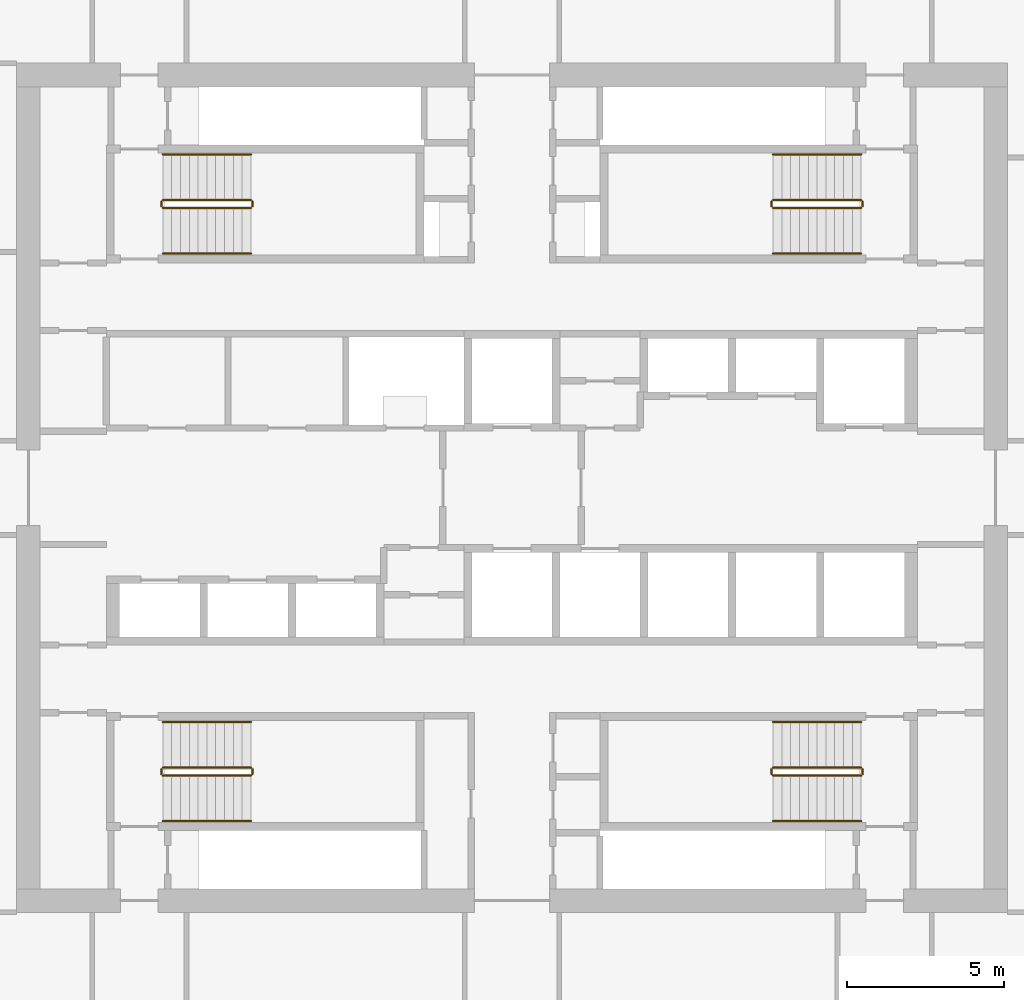
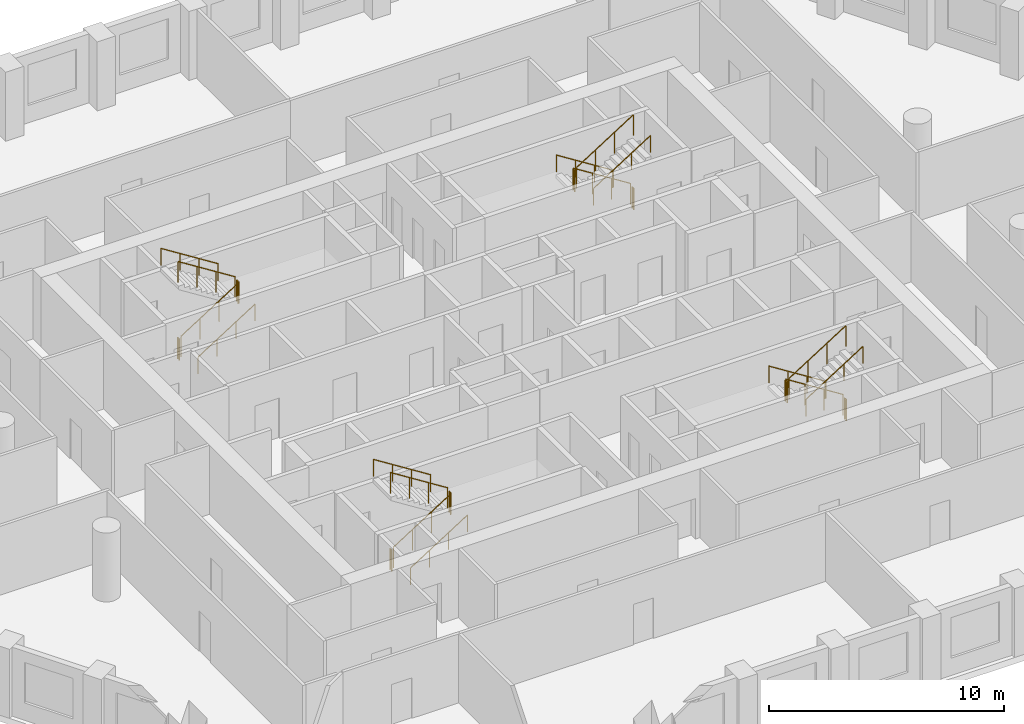
# One storey, part 10 of 10: 24 railings.
"""IFC4 building model written with IfcOpenShell, lengths in metres."""

from ifc_helpers import new_model, si_unit, direction, frame, origin, origin_2d, place, context, subcontext, project, spatial, circle, extrude, material, type_object, element, save


model = new_model("IFC4")

# Units and contexts
model_context = context("Model", 3, precision=1e-05, world=origin(), true_north=direction((0.0, 1.0)))
body_context = subcontext(model_context, "Body", "Model", "MODEL_VIEW")
ifc_project = project(units=[si_unit("LENGTHUNIT", "METRE"), si_unit("AREAUNIT", "SQUARE_METRE"), si_unit("VOLUMEUNIT", "CUBIC_METRE"), si_unit("PLANEANGLEUNIT", "RADIAN"), si_unit("MASSUNIT", "GRAM", prefix="KILO")], contexts=[model_context])

# Site, building, storey
site_placement = place(None, origin())
site = spatial("IfcSite", under=ifc_project, at=site_placement, CompositionType="ELEMENT")
building_placement = place(site_placement, origin())
building = spatial("IfcBuilding", under=site, at=building_placement, Name="Dhurran Vertical Campus", CompositionType="ELEMENT")
storey_placement = place(building_placement, frame((0.0, 0.0, 148.199951171875)))
storey = spatial("IfcBuildingStorey", under=building, at=storey_placement, Name="L36", CompositionType="ELEMENT", Elevation=148.199951171875)

# Railings
ifc_material_1 = material(Name="Stainless steel balustrade", Category="steel")
railing_type_1 = type_object("IfcRailingType", Name="co-RL-GUARD-1100", PredefinedType="GUARDRAIL", material=ifc_material_1)
railing_1_placement = place(storey_placement, frame((-11.10009765625, 8.89990234375, 0.17724609375)))
element("IfcRailing", 1, at=railing_1_placement, inside=storey, type_object=railing_type_1, Name="L36 ST1 stair guard 1", PredefinedType="GUARDRAIL", context=body_context, shape_type="SweptSolid", body=[
    extrude(circle(Radius=0.02392578125, at=origin_2d()), frame((0.0, 0.0, 1.076171875), z_axis=(0.844908973607, 0.0, 0.534910110503), x_axis=(0.0, 1.0, 0.0)), (0.0, 0.0, 1.0), 3.31396484375),
    extrude(circle(Radius=0.02099609375, at=origin_2d()), origin(), (0.0, 0.0, 1.0), 1.052001953125),
    extrude(circle(Radius=0.02099609375, at=origin_2d()), frame((0.933349609375, 0.0, 0.5908203125)), (0.0, 0.0, 1.0), 1.052001953125),
    extrude(circle(Radius=0.02099609375, at=origin_2d()), frame((1.86669921875, 0.0, 1.181884765625)), (0.0, 0.0, 1.0), 1.052001953125),
    extrude(circle(Radius=0.02099609375, at=origin_2d()), frame((2.800048828125, 0.0, 1.772705078125)), (0.0, 0.0, 1.0), 1.052001953125),
])
railing_2_placement = place(storey_placement, frame((-8.25, 8.949951171875, 1.949951171875)))
element("IfcRailing", 2, at=railing_2_placement, inside=storey, type_object=railing_type_1, Name="L36 ST1 stair guard 2", PredefinedType="GUARDRAIL", context=body_context, shape_type="SweptSolid", body=[
    extrude(circle(Radius=0.02392578125, at=origin_2d()), frame((0.0, 0.0, 1.076171875), z_axis=(0.0, 1.0, 0.0), x_axis=(-1.0, 0.0, 0.0)), (0.0, 0.0, 1.0), 0.150146484375),
    extrude(circle(Radius=0.02099609375, at=origin_2d()), origin(), (0.0, 0.0, 1.0), 1.052001953125),
    extrude(circle(Radius=0.02099609375, at=origin_2d()), frame((0.0, 0.150146484375, 0.0)), (0.0, 0.0, 1.0), 1.052001953125),
])
railing_3_placement = place(storey_placement, frame((-8.300048828125, 9.14990234375, 2.12744140625)))
element("IfcRailing", 3, at=railing_3_placement, inside=storey, type_object=railing_type_1, Name="L36 ST1 stair guard 3", PredefinedType="GUARDRAIL", context=body_context, shape_type="SweptSolid", body=[
    extrude(circle(Radius=0.02392578125, at=origin_2d()), frame((0.0, 0.0, 1.076171875), z_axis=(-0.844908973607, 0.0, 0.534910110503), x_axis=(0.0, -1.0, 0.0)), (0.0, 0.0, 1.0), 3.31396484375),
    extrude(circle(Radius=0.02099609375, at=origin_2d()), origin(), (0.0, 0.0, 1.0), 1.052001953125),
    extrude(circle(Radius=0.02099609375, at=origin_2d()), frame((-0.933349609375, 0.0, 0.5908203125)), (0.0, 0.0, 1.0), 1.052001953125),
    extrude(circle(Radius=0.02099609375, at=origin_2d()), frame((-1.86669921875, 0.0, 1.181884765625)), (0.0, 0.0, 1.0), 1.052001953125),
    extrude(circle(Radius=0.02099609375, at=origin_2d()), frame((-2.800048828125, 0.0, 1.772705078125)), (0.0, 0.0, 1.0), 1.052001953125),
])
railing_4_placement = place(storey_placement, frame((-11.14990234375, 8.949951171875, 0.0)))
element("IfcRailing", 4, at=railing_4_placement, inside=storey, type_object=railing_type_1, Name="L36 ST1 stair guard 4", PredefinedType="GUARDRAIL", context=body_context, shape_type="SweptSolid", body=[
    extrude(circle(Radius=0.02392578125, at=origin_2d()), frame((0.0, 0.0, 1.076171875), z_axis=(0.0, 1.0, 0.0), x_axis=(-1.0, 0.0, 0.0)), (0.0, 0.0, 1.0), 0.150146484375),
    extrude(circle(Radius=0.02099609375, at=origin_2d()), origin(), (0.0, 0.0, 1.0), 1.052001953125),
    extrude(circle(Radius=0.02099609375, at=origin_2d()), frame((0.0, 0.150146484375, 0.0)), (0.0, 0.0, 1.0), 1.052001953125),
])
railing_5_placement = place(storey_placement, frame((11.10009765625, 9.14990234375, 0.17724609375)))
element("IfcRailing", 5, at=railing_5_placement, inside=storey, type_object=railing_type_1, Name="L36 ST2 stair guard 1", PredefinedType="GUARDRAIL", context=body_context, shape_type="SweptSolid", body=[
    extrude(circle(Radius=0.02392578125, at=origin_2d()), frame((0.0, 0.0, 1.076171875), z_axis=(-0.844908973607, 0.0, 0.534910110503), x_axis=(0.0, -1.0, 0.0)), (0.0, 0.0, 1.0), 3.31396484375),
    extrude(circle(Radius=0.02099609375, at=origin_2d()), origin(), (0.0, 0.0, 1.0), 1.052001953125),
    extrude(circle(Radius=0.02099609375, at=origin_2d()), frame((-0.933349609375, 0.0, 0.5908203125)), (0.0, 0.0, 1.0), 1.052001953125),
    extrude(circle(Radius=0.02099609375, at=origin_2d()), frame((-1.86669921875, 0.0, 1.181884765625)), (0.0, 0.0, 1.0), 1.052001953125),
    extrude(circle(Radius=0.02099609375, at=origin_2d()), frame((-2.800048828125, 0.0, 1.772705078125)), (0.0, 0.0, 1.0), 1.052001953125),
])
railing_6_placement = place(storey_placement, frame((8.25, 9.10009765625, 1.949951171875)))
element("IfcRailing", 6, at=railing_6_placement, inside=storey, type_object=railing_type_1, Name="L36 ST2 stair guard 2", PredefinedType="GUARDRAIL", context=body_context, shape_type="SweptSolid", body=[
    extrude(circle(Radius=0.02392578125, at=origin_2d()), frame((0.0, 0.0, 1.076171875), z_axis=(0.0, -1.0, 0.0), x_axis=(1.0, 0.0, 0.0)), (0.0, 0.0, 1.0), 0.150146484375),
    extrude(circle(Radius=0.02099609375, at=origin_2d()), origin(), (0.0, 0.0, 1.0), 1.052001953125),
    extrude(circle(Radius=0.02099609375, at=origin_2d()), frame((0.0, -0.150146484375, 0.0)), (0.0, 0.0, 1.0), 1.052001953125),
])
railing_7_placement = place(storey_placement, frame((8.300048828125, 8.89990234375, 2.12744140625)))
element("IfcRailing", 7, at=railing_7_placement, inside=storey, type_object=railing_type_1, Name="L36 ST2 stair guard 3", PredefinedType="GUARDRAIL", context=body_context, shape_type="SweptSolid", body=[
    extrude(circle(Radius=0.02392578125, at=origin_2d()), frame((0.0, 0.0, 1.076171875), z_axis=(0.844908973607, 0.0, 0.534910110503), x_axis=(0.0, 1.0, 0.0)), (0.0, 0.0, 1.0), 3.31396484375),
    extrude(circle(Radius=0.02099609375, at=origin_2d()), origin(), (0.0, 0.0, 1.0), 1.052001953125),
    extrude(circle(Radius=0.02099609375, at=origin_2d()), frame((0.933349609375, 0.0, 0.5908203125)), (0.0, 0.0, 1.0), 1.052001953125),
    extrude(circle(Radius=0.02099609375, at=origin_2d()), frame((1.86669921875, 0.0, 1.181884765625)), (0.0, 0.0, 1.0), 1.052001953125),
    extrude(circle(Radius=0.02099609375, at=origin_2d()), frame((2.800048828125, 0.0, 1.772705078125)), (0.0, 0.0, 1.0), 1.052001953125),
])
railing_8_placement = place(storey_placement, frame((11.14990234375, 9.10009765625, 0.0)))
element("IfcRailing", 8, at=railing_8_placement, inside=storey, type_object=railing_type_1, Name="L36 ST2 stair guard 4", PredefinedType="GUARDRAIL", context=body_context, shape_type="SweptSolid", body=[
    extrude(circle(Radius=0.02392578125, at=origin_2d()), frame((0.0, 0.0, 1.076171875), z_axis=(0.0, -1.0, 0.0), x_axis=(1.0, 0.0, 0.0)), (0.0, 0.0, 1.0), 0.150146484375),
    extrude(circle(Radius=0.02099609375, at=origin_2d()), origin(), (0.0, 0.0, 1.0), 1.052001953125),
    extrude(circle(Radius=0.02099609375, at=origin_2d()), frame((0.0, -0.150146484375, 0.0)), (0.0, 0.0, 1.0), 1.052001953125),
])
railing_9_placement = place(storey_placement, frame((-11.10009765625, -9.14990234375, 0.17724609375)))
element("IfcRailing", 9, at=railing_9_placement, inside=storey, type_object=railing_type_1, Name="L36 ST3 stair guard 1", PredefinedType="GUARDRAIL", context=body_context, shape_type="SweptSolid", body=[
    extrude(circle(Radius=0.02392578125, at=origin_2d()), frame((0.0, 0.0, 1.076171875), z_axis=(0.844908973607, 0.0, 0.534910110503), x_axis=(0.0, 1.0, 0.0)), (0.0, 0.0, 1.0), 3.31396484375),
    extrude(circle(Radius=0.02099609375, at=origin_2d()), origin(), (0.0, 0.0, 1.0), 1.052001953125),
    extrude(circle(Radius=0.02099609375, at=origin_2d()), frame((0.933349609375, 0.0, 0.5908203125)), (0.0, 0.0, 1.0), 1.052001953125),
    extrude(circle(Radius=0.02099609375, at=origin_2d()), frame((1.86669921875, 0.0, 1.181884765625)), (0.0, 0.0, 1.0), 1.052001953125),
    extrude(circle(Radius=0.02099609375, at=origin_2d()), frame((2.800048828125, 0.0, 1.772705078125)), (0.0, 0.0, 1.0), 1.052001953125),
])
railing_10_placement = place(storey_placement, frame((-8.25, -9.10009765625, 1.949951171875)))
element("IfcRailing", 10, at=railing_10_placement, inside=storey, type_object=railing_type_1, Name="L36 ST3 stair guard 2", PredefinedType="GUARDRAIL", context=body_context, shape_type="SweptSolid", body=[
    extrude(circle(Radius=0.02392578125, at=origin_2d()), frame((0.0, 0.0, 1.076171875), z_axis=(0.0, 1.0, 0.0), x_axis=(-1.0, 0.0, 0.0)), (0.0, 0.0, 1.0), 0.150146484375),
    extrude(circle(Radius=0.02099609375, at=origin_2d()), origin(), (0.0, 0.0, 1.0), 1.052001953125),
    extrude(circle(Radius=0.02099609375, at=origin_2d()), frame((0.0, 0.150146484375, 0.0)), (0.0, 0.0, 1.0), 1.052001953125),
])
railing_11_placement = place(storey_placement, frame((-8.300048828125, -8.89990234375, 2.12744140625)))
element("IfcRailing", 11, at=railing_11_placement, inside=storey, type_object=railing_type_1, Name="L36 ST3 stair guard 3", PredefinedType="GUARDRAIL", context=body_context, shape_type="SweptSolid", body=[
    extrude(circle(Radius=0.02392578125, at=origin_2d()), frame((0.0, 0.0, 1.076171875), z_axis=(-0.844908973607, 0.0, 0.534910110503), x_axis=(0.0, -1.0, 0.0)), (0.0, 0.0, 1.0), 3.31396484375),
    extrude(circle(Radius=0.02099609375, at=origin_2d()), origin(), (0.0, 0.0, 1.0), 1.052001953125),
    extrude(circle(Radius=0.02099609375, at=origin_2d()), frame((-0.933349609375, 0.0, 0.5908203125)), (0.0, 0.0, 1.0), 1.052001953125),
    extrude(circle(Radius=0.02099609375, at=origin_2d()), frame((-1.86669921875, 0.0, 1.181884765625)), (0.0, 0.0, 1.0), 1.052001953125),
    extrude(circle(Radius=0.02099609375, at=origin_2d()), frame((-2.800048828125, 0.0, 1.772705078125)), (0.0, 0.0, 1.0), 1.052001953125),
])
railing_12_placement = place(storey_placement, frame((-11.14990234375, -9.10009765625, 0.0)))
element("IfcRailing", 12, at=railing_12_placement, inside=storey, type_object=railing_type_1, Name="L36 ST3 stair guard 4", PredefinedType="GUARDRAIL", context=body_context, shape_type="SweptSolid", body=[
    extrude(circle(Radius=0.02392578125, at=origin_2d()), frame((0.0, 0.0, 1.076171875), z_axis=(0.0, 1.0, 0.0), x_axis=(-1.0, 0.0, 0.0)), (0.0, 0.0, 1.0), 0.150146484375),
    extrude(circle(Radius=0.02099609375, at=origin_2d()), origin(), (0.0, 0.0, 1.0), 1.052001953125),
    extrude(circle(Radius=0.02099609375, at=origin_2d()), frame((0.0, 0.150146484375, 0.0)), (0.0, 0.0, 1.0), 1.052001953125),
])
railing_13_placement = place(storey_placement, frame((11.10009765625, -8.89990234375, 0.17724609375)))
element("IfcRailing", 13, at=railing_13_placement, inside=storey, type_object=railing_type_1, Name="L36 ST4 stair guard 1", PredefinedType="GUARDRAIL", context=body_context, shape_type="SweptSolid", body=[
    extrude(circle(Radius=0.02392578125, at=origin_2d()), frame((0.0, 0.0, 1.076171875), z_axis=(-0.844908973607, 0.0, 0.534910110503), x_axis=(0.0, -1.0, 0.0)), (0.0, 0.0, 1.0), 3.31396484375),
    extrude(circle(Radius=0.02099609375, at=origin_2d()), origin(), (0.0, 0.0, 1.0), 1.052001953125),
    extrude(circle(Radius=0.02099609375, at=origin_2d()), frame((-0.933349609375, 0.0, 0.5908203125)), (0.0, 0.0, 1.0), 1.052001953125),
    extrude(circle(Radius=0.02099609375, at=origin_2d()), frame((-1.86669921875, 0.0, 1.181884765625)), (0.0, 0.0, 1.0), 1.052001953125),
    extrude(circle(Radius=0.02099609375, at=origin_2d()), frame((-2.800048828125, 0.0, 1.772705078125)), (0.0, 0.0, 1.0), 1.052001953125),
])
railing_14_placement = place(storey_placement, frame((8.25, -8.949951171875, 1.949951171875)))
element("IfcRailing", 14, at=railing_14_placement, inside=storey, type_object=railing_type_1, Name="L36 ST4 stair guard 2", PredefinedType="GUARDRAIL", context=body_context, shape_type="SweptSolid", body=[
    extrude(circle(Radius=0.02392578125, at=origin_2d()), frame((0.0, 0.0, 1.076171875), z_axis=(0.0, -1.0, 0.0), x_axis=(1.0, 0.0, 0.0)), (0.0, 0.0, 1.0), 0.150146484375),
    extrude(circle(Radius=0.02099609375, at=origin_2d()), origin(), (0.0, 0.0, 1.0), 1.052001953125),
    extrude(circle(Radius=0.02099609375, at=origin_2d()), frame((0.0, -0.150146484375, 0.0)), (0.0, 0.0, 1.0), 1.052001953125),
])
railing_15_placement = place(storey_placement, frame((8.300048828125, -9.14990234375, 2.12744140625)))
element("IfcRailing", 15, at=railing_15_placement, inside=storey, type_object=railing_type_1, Name="L36 ST4 stair guard 3", PredefinedType="GUARDRAIL", context=body_context, shape_type="SweptSolid", body=[
    extrude(circle(Radius=0.02392578125, at=origin_2d()), frame((0.0, 0.0, 1.076171875), z_axis=(0.844908973607, 0.0, 0.534910110503), x_axis=(0.0, 1.0, 0.0)), (0.0, 0.0, 1.0), 3.31396484375),
    extrude(circle(Radius=0.02099609375, at=origin_2d()), origin(), (0.0, 0.0, 1.0), 1.052001953125),
    extrude(circle(Radius=0.02099609375, at=origin_2d()), frame((0.933349609375, 0.0, 0.5908203125)), (0.0, 0.0, 1.0), 1.052001953125),
    extrude(circle(Radius=0.02099609375, at=origin_2d()), frame((1.86669921875, 0.0, 1.181884765625)), (0.0, 0.0, 1.0), 1.052001953125),
    extrude(circle(Radius=0.02099609375, at=origin_2d()), frame((2.800048828125, 0.0, 1.772705078125)), (0.0, 0.0, 1.0), 1.052001953125),
])
railing_16_placement = place(storey_placement, frame((11.14990234375, -8.949951171875, 0.0)))
element("IfcRailing", 16, at=railing_16_placement, inside=storey, type_object=railing_type_1, Name="L36 ST4 stair guard 4", PredefinedType="GUARDRAIL", context=body_context, shape_type="SweptSolid", body=[
    extrude(circle(Radius=0.02392578125, at=origin_2d()), frame((0.0, 0.0, 1.076171875), z_axis=(0.0, -1.0, 0.0), x_axis=(1.0, 0.0, 0.0)), (0.0, 0.0, 1.0), 0.150146484375),
    extrude(circle(Radius=0.02099609375, at=origin_2d()), origin(), (0.0, 0.0, 1.0), 1.052001953125),
    extrude(circle(Radius=0.02099609375, at=origin_2d()), frame((0.0, -0.150146484375, 0.0)), (0.0, 0.0, 1.0), 1.052001953125),
])
ifc_material_2 = material(Name="Stainless steel handrail", Category="steel")
railing_type_2 = type_object("IfcRailingType", Name="co-RL-HANDRAIL-900", PredefinedType="HANDRAIL", material=ifc_material_2)
railing_17_placement = place(storey_placement, frame((-11.10009765625, 7.449951171875, 0.17724609375)))
element("IfcRailing", 17, at=railing_17_placement, inside=storey, type_object=railing_type_2, Name="L36 ST1 stair handrail 1", PredefinedType="HANDRAIL", context=body_context, shape_type="SweptSolid", body=[
    extrude(circle(Radius=0.02392578125, at=origin_2d()), frame((0.0, 0.0, 0.8759765625), z_axis=(0.844908973607, 0.0, 0.534910110503), x_axis=(0.0, 1.0, 0.0)), (0.0, 0.0, 1.0), 3.31396484375),
    extrude(circle(Radius=0.02099609375, at=origin_2d()), origin(), (0.0, 0.0, 1.0), 0.851806640625),
    extrude(circle(Radius=0.02099609375, at=origin_2d()), frame((0.933349609375, 0.0, 0.5908203125)), (0.0, 0.0, 1.0), 0.851806640625),
    extrude(circle(Radius=0.02099609375, at=origin_2d()), frame((1.86669921875, 0.0, 1.181884765625)), (0.0, 0.0, 1.0), 0.851806640625),
    extrude(circle(Radius=0.02099609375, at=origin_2d()), frame((2.800048828125, 0.0, 1.772705078125)), (0.0, 0.0, 1.0), 0.851806640625),
])
for number, where, name in (
    (18, (-8.300048828125, 10.60009765625, 2.12744140625), "L36 ST1 stair handrail 2"),
    (19, (11.10009765625, 10.60009765625, 0.17724609375), "L36 ST2 stair handrail 1"),
):
    element("IfcRailing", number, at=place(storey_placement, frame(where)), inside=storey, type_object=railing_type_2, Name=name, PredefinedType="HANDRAIL", context=body_context, shape_type="SweptSolid", body=[
        extrude(circle(Radius=0.02392578125, at=origin_2d()), frame((0.0, 0.0, 0.8759765625), z_axis=(-0.844908973607, 0.0, 0.534910110503), x_axis=(0.0, -1.0, 0.0)), (0.0, 0.0, 1.0), 3.31396484375),
        extrude(circle(Radius=0.02099609375, at=origin_2d()), origin(), (0.0, 0.0, 1.0), 0.851806640625),
        extrude(circle(Radius=0.02099609375, at=origin_2d()), frame((-0.933349609375, 0.0, 0.5908203125)), (0.0, 0.0, 1.0), 0.851806640625),
        extrude(circle(Radius=0.02099609375, at=origin_2d()), frame((-1.86669921875, 0.0, 1.181884765625)), (0.0, 0.0, 1.0), 0.851806640625),
        extrude(circle(Radius=0.02099609375, at=origin_2d()), frame((-2.800048828125, 0.0, 1.772705078125)), (0.0, 0.0, 1.0), 0.851806640625),
    ])
for number, where, name in (
    (20, (8.300048828125, 7.449951171875, 2.12744140625), "L36 ST2 stair handrail 2"),
    (21, (-11.10009765625, -10.60009765625, 0.17724609375), "L36 ST3 stair handrail 1"),
):
    element("IfcRailing", number, at=place(storey_placement, frame(where)), inside=storey, type_object=railing_type_2, Name=name, PredefinedType="HANDRAIL", context=body_context, shape_type="SweptSolid", body=[
        extrude(circle(Radius=0.02392578125, at=origin_2d()), frame((0.0, 0.0, 0.8759765625), z_axis=(0.844908973607, 0.0, 0.534910110503), x_axis=(0.0, 1.0, 0.0)), (0.0, 0.0, 1.0), 3.31396484375),
        extrude(circle(Radius=0.02099609375, at=origin_2d()), origin(), (0.0, 0.0, 1.0), 0.851806640625),
        extrude(circle(Radius=0.02099609375, at=origin_2d()), frame((0.933349609375, 0.0, 0.5908203125)), (0.0, 0.0, 1.0), 0.851806640625),
        extrude(circle(Radius=0.02099609375, at=origin_2d()), frame((1.86669921875, 0.0, 1.181884765625)), (0.0, 0.0, 1.0), 0.851806640625),
        extrude(circle(Radius=0.02099609375, at=origin_2d()), frame((2.800048828125, 0.0, 1.772705078125)), (0.0, 0.0, 1.0), 0.851806640625),
    ])
for number, where, name in (
    (22, (-8.300048828125, -7.449951171875, 2.12744140625), "L36 ST3 stair handrail 2"),
    (23, (11.10009765625, -7.449951171875, 0.17724609375), "L36 ST4 stair handrail 1"),
):
    element("IfcRailing", number, at=place(storey_placement, frame(where)), inside=storey, type_object=railing_type_2, Name=name, PredefinedType="HANDRAIL", context=body_context, shape_type="SweptSolid", body=[
        extrude(circle(Radius=0.02392578125, at=origin_2d()), frame((0.0, 0.0, 0.8759765625), z_axis=(-0.844908973607, 0.0, 0.534910110503), x_axis=(0.0, -1.0, 0.0)), (0.0, 0.0, 1.0), 3.31396484375),
        extrude(circle(Radius=0.02099609375, at=origin_2d()), origin(), (0.0, 0.0, 1.0), 0.851806640625),
        extrude(circle(Radius=0.02099609375, at=origin_2d()), frame((-0.933349609375, 0.0, 0.5908203125)), (0.0, 0.0, 1.0), 0.851806640625),
        extrude(circle(Radius=0.02099609375, at=origin_2d()), frame((-1.86669921875, 0.0, 1.181884765625)), (0.0, 0.0, 1.0), 0.851806640625),
        extrude(circle(Radius=0.02099609375, at=origin_2d()), frame((-2.800048828125, 0.0, 1.772705078125)), (0.0, 0.0, 1.0), 0.851806640625),
    ])
railing_18_placement = place(storey_placement, frame((8.300048828125, -10.60009765625, 2.12744140625)))
element("IfcRailing", 24, at=railing_18_placement, inside=storey, type_object=railing_type_2, Name="L36 ST4 stair handrail 2", PredefinedType="HANDRAIL", context=body_context, shape_type="SweptSolid", body=[
    extrude(circle(Radius=0.02392578125, at=origin_2d()), frame((0.0, 0.0, 0.8759765625), z_axis=(0.844908973607, 0.0, 0.534910110503), x_axis=(0.0, 1.0, 0.0)), (0.0, 0.0, 1.0), 3.31396484375),
    extrude(circle(Radius=0.02099609375, at=origin_2d()), origin(), (0.0, 0.0, 1.0), 0.851806640625),
    extrude(circle(Radius=0.02099609375, at=origin_2d()), frame((0.933349609375, 0.0, 0.5908203125)), (0.0, 0.0, 1.0), 0.851806640625),
    extrude(circle(Radius=0.02099609375, at=origin_2d()), frame((1.86669921875, 0.0, 1.181884765625)), (0.0, 0.0, 1.0), 0.851806640625),
    extrude(circle(Radius=0.02099609375, at=origin_2d()), frame((2.800048828125, 0.0, 1.772705078125)), (0.0, 0.0, 1.0), 0.851806640625),
])

save(model, "model.ifc")
